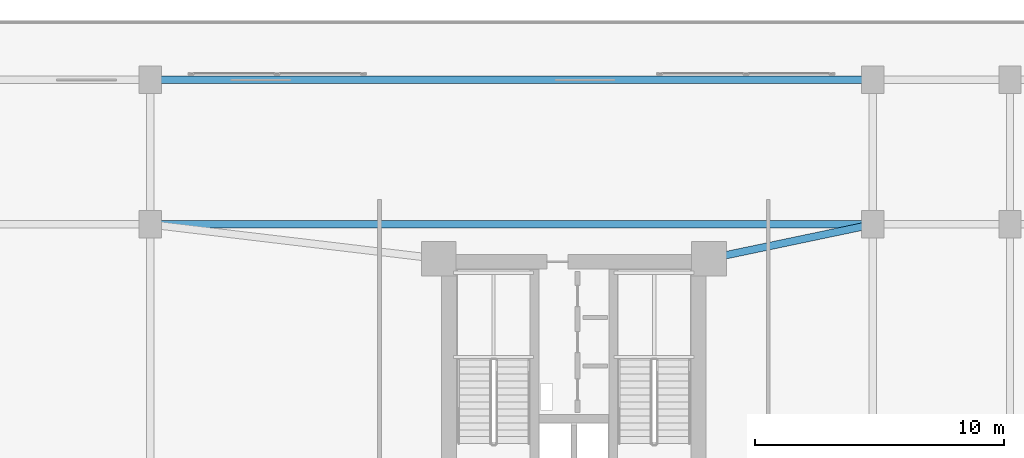
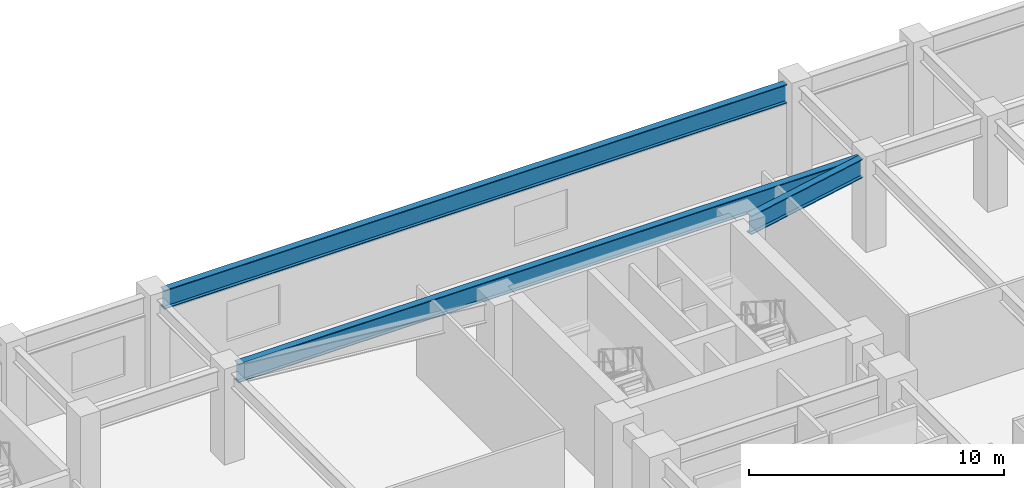
# One storey, part 3 of 10: 3 beams.
"""IFC4 building model written with IfcOpenShell, lengths in metres."""

from ifc_helpers import new_model, si_unit, direction, frame, origin, origin_2d, place, context, subcontext, project, spatial, i_section, extrude, material, material_profile, profile_set, type_object, element, save


model = new_model("IFC4")

# Units and contexts
model_context = context("Model", 3, precision=1e-05, world=origin(), true_north=direction((0.0, 1.0)))
body_context = subcontext(model_context, "Body", "Model", "MODEL_VIEW")
ifc_project = project(units=[si_unit("LENGTHUNIT", "METRE"), si_unit("AREAUNIT", "SQUARE_METRE"), si_unit("VOLUMEUNIT", "CUBIC_METRE"), si_unit("PLANEANGLEUNIT", "RADIAN"), si_unit("MASSUNIT", "GRAM", prefix="KILO")], contexts=[model_context])

# Site, building, storey
site_placement = place(None, origin())
site = spatial("IfcSite", under=ifc_project, at=site_placement, CompositionType="ELEMENT")
building_placement = place(site_placement, origin())
building = spatial("IfcBuilding", under=site, at=building_placement, Name="Varnakorn Sky Granary", CompositionType="ELEMENT")
storey_placement = place(building_placement, frame((0.0, 0.0, 13.800048828125)))
storey = spatial("IfcBuildingStorey", under=building, at=storey_placement, Name="L03", CompositionType="ELEMENT", Elevation=13.800048828125)

# Beams
ifc_material = material(Name="Steel S355JR", Category="steel")
ifc_material_profile = material_profile(ifc_material, i_section(OverallWidth=0.300048828125, OverallDepth=0.89990234375, WebThickness=0.0185546875, FlangeThickness=0.034912109375, at=origin_2d()), Name="HE 900 B")
ifc_profile_set = profile_set([ifc_material_profile], Name="Steel S355JR")
beam_type = type_object("IfcBeamType", Name="BM-PG-900", PredefinedType="BEAM", material=ifc_profile_set)
for number, where, z_axis, x_axis, name in (
    (1, (-13.580078125, 14.0, 3.829833984375), (1.0, 0.0, 0.0), (0.0, 1.0, 0.0), "Podium X-Girder GX10 L03"),
    (2, (-13.580078125, 19.800048828125, 3.829833984375), (1.0, 0.0, 0.0), (0.0, 1.0, 0.0), "Podium X-Girder GX15 L03"),
):
    element("IfcBeam", number, at=place(storey_placement, frame(where, z_axis=z_axis, x_axis=x_axis)), inside=storey, type_object=beam_type, Name=name, PredefinedType="BEAM", context=body_context, shape_type="SweptSolid", body=[
        extrude(i_section(OverallWidth=0.300048828125, OverallDepth=0.89990234375, WebThickness=0.0185546875, FlangeThickness=0.034912109375, at=origin_2d()), origin(), (0.0, 0.0, 1.0), 28.16015625),
    ])
beam_placement = place(storey_placement, frame((14.5888671875, 13.913818359375, 3.829833984375), z_axis=(-0.978708882908, -0.205253313045, 0.0), x_axis=(0.205253313045, -0.978708882908, 0.0)))
element("IfcBeam", 3, at=beam_placement, inside=storey, type_object=beam_type, Name="Podium Core Tie Girder 3 L03", PredefinedType="BEAM", context=body_context, shape_type="SweptSolid", body=[
    extrude(i_section(OverallWidth=0.300048828125, OverallDepth=0.89990234375, WebThickness=0.0185546875, FlangeThickness=0.034912109375, at=origin_2d()), origin(), (0.0, 0.0, 1.0), 5.883056640625),
])

save(model, "model.ifc")
